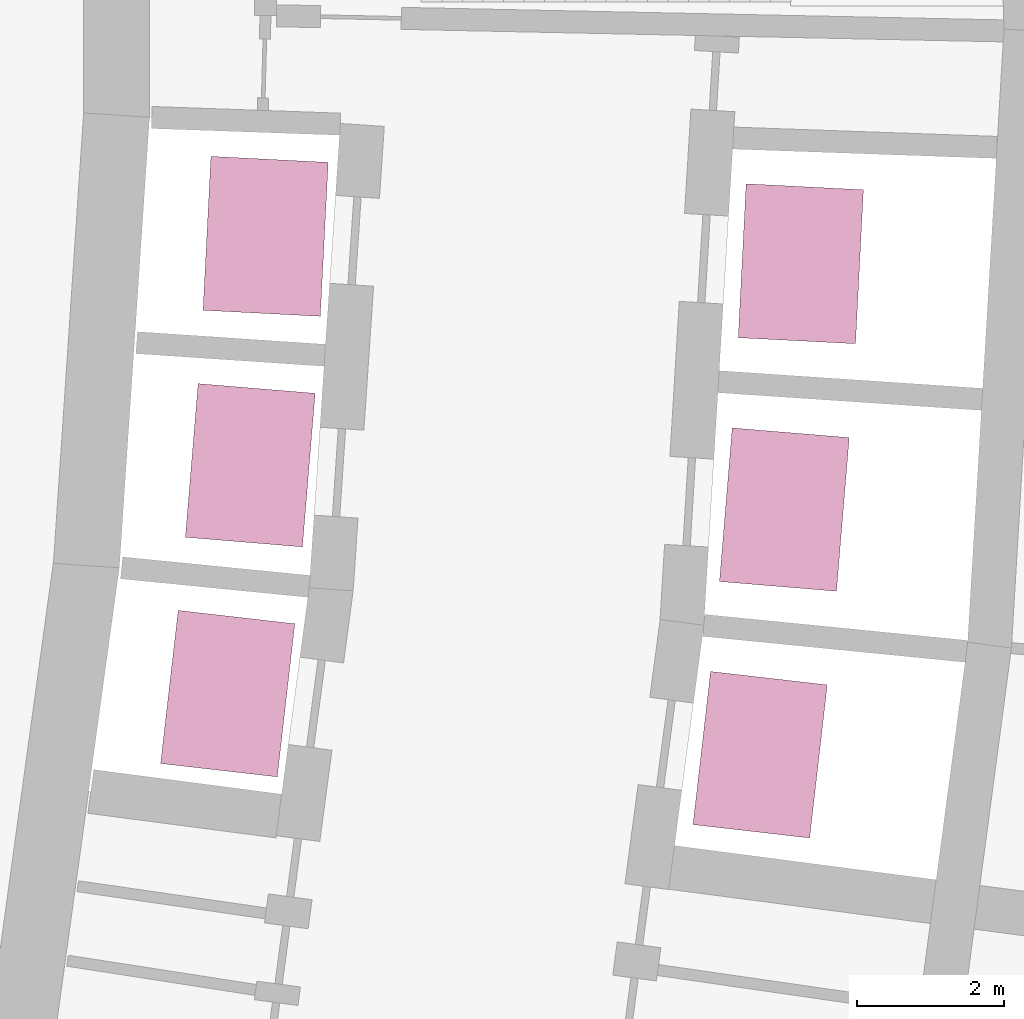
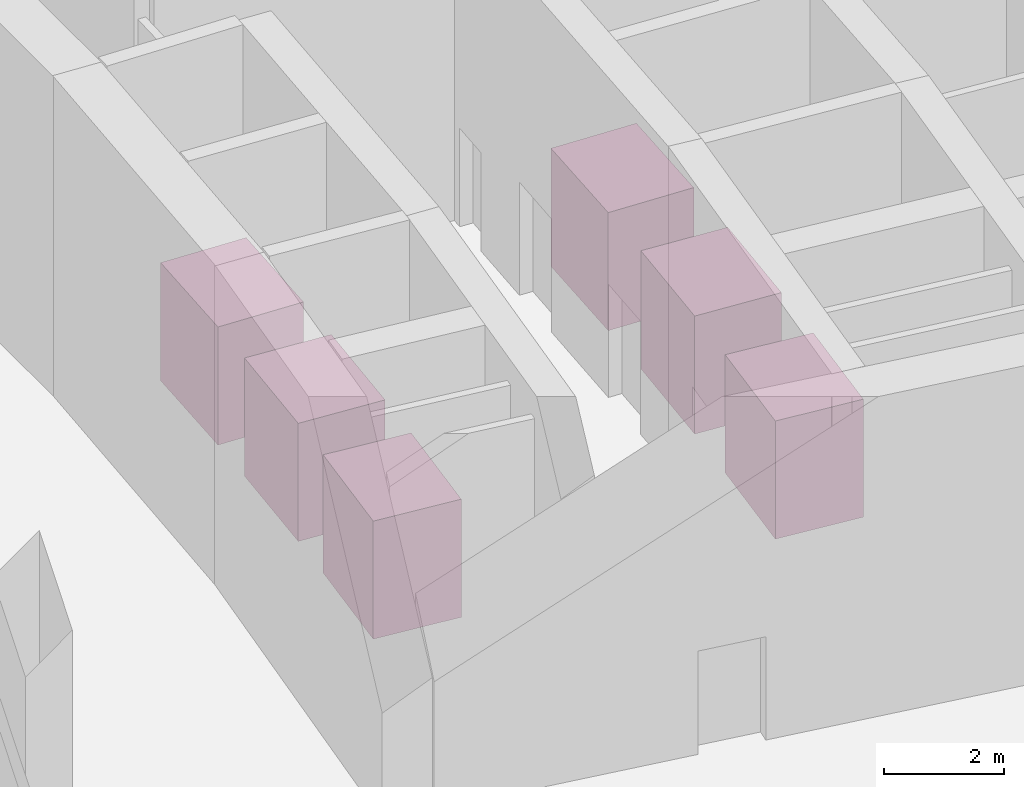
# One storey, part 16 of 16: 6 transport elements.
"""IFC4 building model written with IfcOpenShell, lengths in metres."""

from ifc_helpers import new_model, si_unit, direction, frame, origin, origin_2d, place, context, subcontext, project, spatial, rectangle, extrude, material, type_object, element, save


model = new_model("IFC4")

# Units and contexts
model_context = context("Model", 3, precision=1e-05, world=origin(), true_north=direction((0.0, 1.0)))
body_context = subcontext(model_context, "Body", "Model", "MODEL_VIEW")
ifc_project = project(units=[si_unit("LENGTHUNIT", "METRE"), si_unit("AREAUNIT", "SQUARE_METRE"), si_unit("VOLUMEUNIT", "CUBIC_METRE"), si_unit("PLANEANGLEUNIT", "RADIAN"), si_unit("MASSUNIT", "GRAM", prefix="KILO")], contexts=[model_context])

# Site, building, storey
site_placement = place(None, origin())
site = spatial("IfcSite", under=ifc_project, at=site_placement, CompositionType="ELEMENT")
building_placement = place(site_placement, origin())
building = spatial("IfcBuilding", under=site, at=building_placement, Name="Alderwake Tower", CompositionType="ELEMENT")
storey_placement = place(building_placement, frame((0.0, 0.0, -6.5)))
storey = spatial("IfcBuildingStorey", under=building, at=storey_placement, Name="B1", CompositionType="ELEMENT", Elevation=-6.5)

# Transport elements
ifc_material = material(Name="Stainless steel lift car", Category="steel")
transport_element_type = type_object("IfcTransportElementType", Name="Passenger lift car 2100 x 1600", PredefinedType="ELEVATOR", material=ifc_material)
for number, where, z_axis, x_axis, name in (
    (1, (18.404052734375, 49.70556640625, 0.050048828125), (0.0, 0.0, 1.0), (0.993474878733, -0.114051152238, 0.0), "LP1"),
    (2, (18.711181640625, 52.816162109375, 0.050048828125), (0.0, 0.0, 1.0), (0.996582247273, -0.082606442965, 0.0), "LP2"),
    (3, (18.92041015625, 55.934814453125, 0.050048828125), (0.0, 0.0, 1.0), (0.998689605528, -0.051176867922, 0.0), "LP3"),
    (4, (25.65625, 48.873291015625, 0.050048828125), (0.0, 0.0, 1.0), (0.993474878733, -0.114051152238, 0.0), "LP4"),
    (5, (25.986328125, 52.212890625, 0.050048828125), (0.0, 0.0, 1.0), (0.996582247273, -0.082606442965, 0.0), "LP5"),
    (6, (26.210693359375, 55.561279296875, 0.050048828125), (0.0, 0.0, 1.0), (0.998689605528, -0.051176867922, 0.0), "LP6"),
):
    element("IfcTransportElement", number, at=place(storey_placement, frame(where, z_axis=z_axis, x_axis=x_axis)), inside=storey, type_object=transport_element_type, Name=name, PredefinedType="ELEVATOR", context=body_context, shape_type="SweptSolid", body=[
        extrude(rectangle(XDim=1.60009765625, YDim=2.10009765625, at=origin_2d()), origin(), (0.0, 0.0, 1.0), 2.39990234375),
    ])

save(model, "model.ifc")
